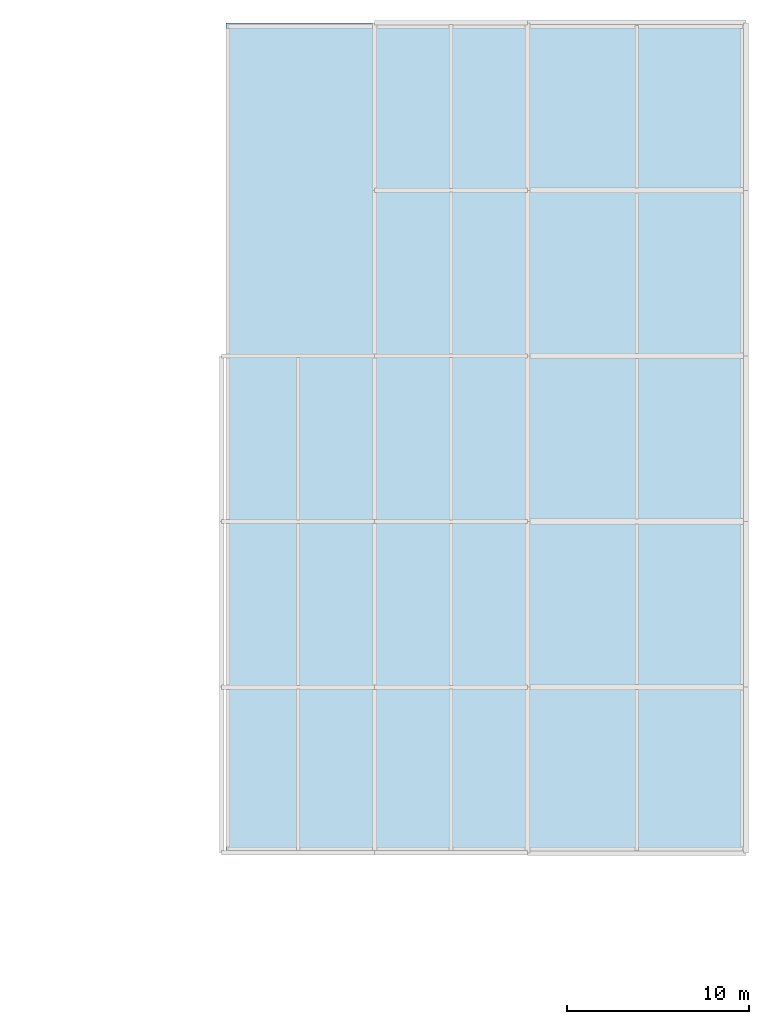
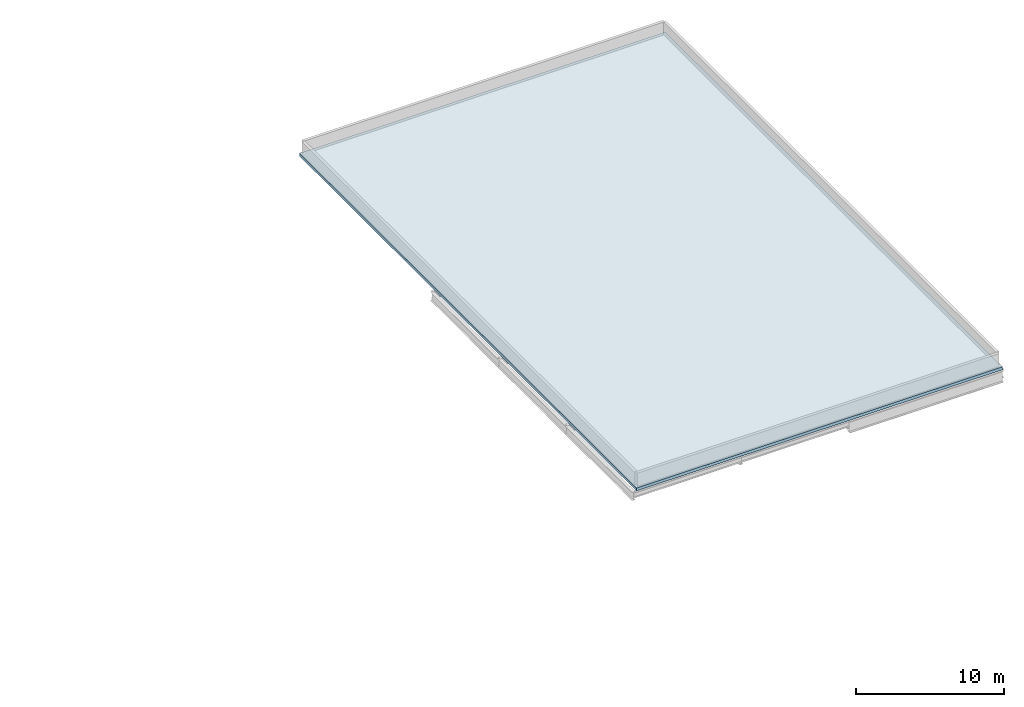
# One storey, part 29 of 38: 1 slab, 1 element without a shape of its own.
"""IFC4 building model written with IfcOpenShell, lengths in metres."""

from ifc_helpers import new_model, si_unit, derived_unit, direction, frame, origin, place, context, subcontext, project, spatial, polyline, outline, extrude, material, layer, layer_set, type_object, element, aggregate, save


model = new_model("IFC4")

# Units and contexts
model_context = context("Model", 3, precision=1e-05, world=origin(), true_north=direction((0.0, 1.0)))
body_context = subcontext(model_context, "Body", "Model", "MODEL_VIEW")
ifc_project = project(units=[si_unit("LENGTHUNIT", "METRE"), si_unit("AREAUNIT", "SQUARE_METRE"), si_unit("VOLUMEUNIT", "CUBIC_METRE"), si_unit("PLANEANGLEUNIT", "RADIAN"), si_unit("MASSUNIT", "GRAM", prefix="KILO"), derived_unit("THERMALTRANSMITTANCEUNIT", [(si_unit("MASSUNIT", "GRAM", prefix="KILO"), 1), (si_unit("TIMEUNIT", "SECOND"), -3), (si_unit("THERMODYNAMICTEMPERATUREUNIT", "KELVIN"), -1)])], contexts=[model_context])

# Site, building, storey
site_placement = place(None, origin())
site = spatial("IfcSite", under=ifc_project, at=site_placement, CompositionType="ELEMENT")
building_placement = place(site_placement, origin())
building = spatial("IfcBuilding", under=site, at=building_placement, Name="Makaiwela Harbour Ferry Terminal", CompositionType="ELEMENT")
storey_placement = place(building_placement, frame((0.0, 0.0, 17.699951171875)))
storey = spatial("IfcBuildingStorey", under=building, at=storey_placement, Name="L04", CompositionType="ELEMENT", Elevation=17.699951171875)

# Roof, slab
ifc_material_1 = material(Name="Standing-seam marine zinc roofing", Category="aluminium")
ifc_layer_1 = layer(ifc_material_1, 0.219970703125)
ifc_layer_set_1 = layer_set([ifc_layer_1], Name="Standing-seam marine zinc roofing")
roof_type = type_object("IfcRoofType", Name="RF-FLAT-01", PredefinedType="FLAT_ROOF", material=ifc_layer_set_1)
roof_placement = place(storey_placement, origin())
roof = element("IfcRoof", 1, at=roof_placement, inside=storey, type_object=roof_type, Name="Roof Assembly RF-01", PredefinedType="FLAT_ROOF")
ifc_material_2 = material(Name="Concrete f'c 35 MPa (5000 psi)", Category="concrete")
ifc_layer_2 = layer(ifc_material_2, 0.239990234375)
ifc_layer_set_2 = layer_set([ifc_layer_2], Name="Concrete f'c 35 MPa (5000 psi)")
slab_type = type_object("IfcSlabType", Name="SLB-RF-240", PredefinedType="ROOF", material=ifc_layer_set_2)
slab_placement = place(storey_placement, frame((0.0, 0.0, -0.239990234375)))
slab = element("IfcSlab", 2, at=slab_placement, type_object=slab_type, Name="Slab SLB-044", PredefinedType="ROOF", context=body_context, shape_type="SweptSolid", body=[
    extrude(outline(polyline([(138.820068359375, 49.39990234375), (167.39990234375, 49.39990234375), (167.39990234375, 95.0), (138.820068359375, 95.0), (138.820068359375, 49.39990234375)])), origin(), (0.0, 0.0, 1.0), 0.239990234375),
])
aggregate(roof, [slab])

save(model, "model.ifc")
